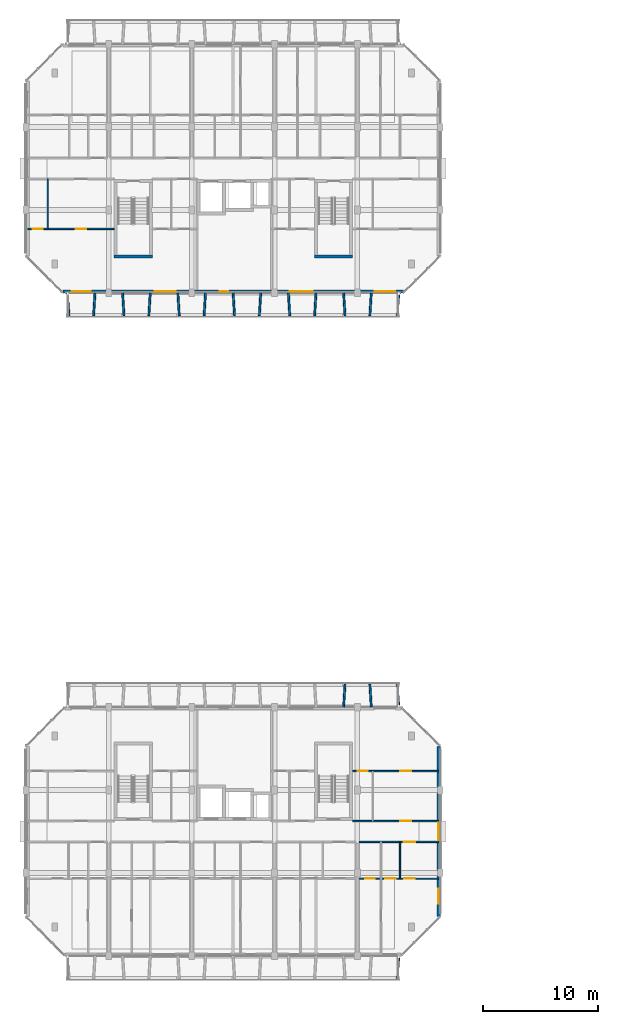
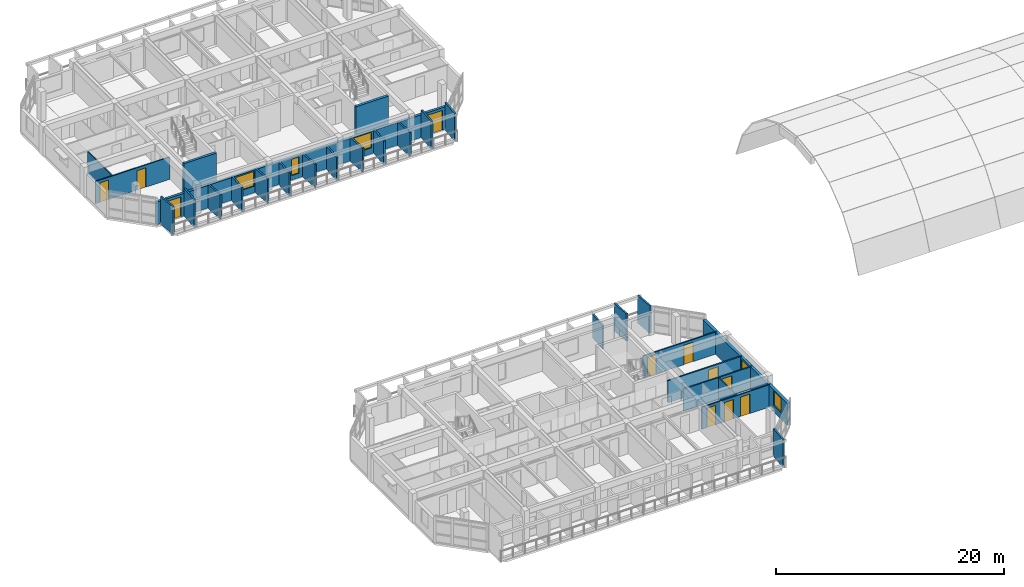
# One storey, part 25 of 51: 28 walls, 11 doors, 5 windows, 16 openings.
"""IFC4 building model written with IfcOpenShell, lengths in metres."""

from ifc_helpers import new_model, si_unit, direction, frame, frame_2d, origin, place, context, subcontext, project, spatial, rectangle, extrude, material, layer, layer_set, type_object, element, fill, save


model = new_model("IFC4")

# Units and contexts
model_context = context("Model", 3, precision=1e-05, world=origin(), true_north=direction((0.0, 1.0)))
body_context = subcontext(model_context, "Body", "Model", "MODEL_VIEW")
ifc_project = project(units=[si_unit("LENGTHUNIT", "METRE"), si_unit("AREAUNIT", "SQUARE_METRE"), si_unit("VOLUMEUNIT", "CUBIC_METRE"), si_unit("PLANEANGLEUNIT", "RADIAN"), si_unit("MASSUNIT", "GRAM", prefix="KILO")], contexts=[model_context])

# Site, building, storey
site_placement = place(None, origin())
site = spatial("IfcSite", under=ifc_project, at=site_placement, CompositionType="ELEMENT")
building_placement = place(site_placement, origin())
building = spatial("IfcBuilding", under=site, at=building_placement, Name="Ochrevale Crest", CompositionType="ELEMENT")
storey_placement = place(building_placement, frame((0.0, 0.0, 11.85009765625)))
storey = spatial("IfcBuildingStorey", under=building, at=storey_placement, Name="L03", CompositionType="ELEMENT", Elevation=11.85009765625)

# Wall, opening, door
ifc_material_1 = material(Name="Gypsum plasterboard", Category="gypsum")
ifc_layer_1 = layer(ifc_material_1, 0.139892578125)
ifc_layer_set_1 = layer_set([ifc_layer_1], Name="Gypsum plasterboard")
wall_type_1 = type_object("IfcWallType", Name="WL-COR-140", PredefinedType="PARTITIONING", material=ifc_layer_set_1)
wall_1_placement = place(storey_placement, frame((28.93994140625, 24.300048828125, 0.0), z_axis=(0.0, 0.0, 1.0), x_axis=(1.0, 0.0, 0.0)))
wall_1 = element("IfcWall", 1, at=wall_1_placement, inside=storey, type_object=wall_type_1, Name="Apartment A-L03-U5 corridor wall", PredefinedType="PARTITIONING", context=body_context, shape_type="SweptSolid", body=[
    extrude(rectangle(XDim=6.920166015625, YDim=0.139892578125, at=frame_2d((3.4599609375, 0.0))), origin(), (0.0, 0.0, 1.0), 2.3798828125),
])
opening_1_placement = place(wall_1_placement, frame((4.875, 0.0, 0.0), z_axis=(0.0, 0.0, 1.0), x_axis=(-1.0, 0.0, 0.0)))
opening_1 = element("IfcOpeningElement", 2, at=opening_1_placement, cuts=wall_1, Name="Opening FD01", PredefinedType="OPENING", context=body_context, shape_type="SweptSolid", body=[
    extrude(rectangle(XDim=0.97998046875, YDim=2.10009765625, at=frame_2d((0.489990234375, 1.050048828125))), frame((0.0, 0.080078125, 0.0), z_axis=(0.0, -1.0, 0.0), x_axis=(1.0, 0.0, 0.0)), (0.0, 0.0, 1.0), 0.159912109375),
])
ifc_material_2 = material(Name="Solid-core FSC hardwood", Category="wood")
door_type_1 = type_object("IfcDoorType", Name="DR-APT-950", OperationType="NOTDEFINED", PredefinedType="DOOR", material=ifc_material_2)
door_1_placement = place(opening_1_placement, origin())
door_1 = element("IfcDoor", 3, at=door_1_placement, inside=storey, type_object=door_type_1, Name="Apartment A-L03-U5 entrance door", OperationType="SINGLE_SWING_RIGHT", OverallHeight=2.10009765625, OverallWidth=0.97998046875, PredefinedType="DOOR", context=body_context, shape_type="SweptSolid", body=[
    extrude(rectangle(XDim=0.97998046875, YDim=2.10009765625, at=frame_2d((0.489990234375, 1.050048828125))), frame((0.0, 0.02490234375, 0.0), z_axis=(0.0, -1.0, 0.0), x_axis=(1.0, 0.0, 0.0)), (0.0, 0.0, 1.0), 0.050048828125),
])
fill(opening_1, door_1)

wall_2_placement = place(storey_placement, frame((28.389892578125, 26.10009765625, 0.0), z_axis=(0.0, 0.0, 1.0), x_axis=(1.0, 0.0, 0.0)))
wall_2 = element("IfcWall", 4, at=wall_2_placement, inside=storey, type_object=wall_type_1, Name="Suite A-L03-CE corridor wall", PredefinedType="PARTITIONING", context=body_context, shape_type="SweptSolid", body=[
    extrude(rectangle(XDim=7.47021484375, YDim=0.139892578125, at=frame_2d((3.735107421875, 0.0))), origin(), (0.0, 0.0, 1.0), 2.3798828125),
])
opening_2_placement = place(wall_2_placement, frame((5.10009765625, 0.0, 0.0), z_axis=(0.0, 0.0, 1.0), x_axis=(-1.0, 0.0, 0.0)))
opening_2 = element("IfcOpeningElement", 5, at=opening_2_placement, cuts=wall_2, Name="Opening FD01", PredefinedType="OPENING", context=body_context, shape_type="SweptSolid", body=[
    extrude(rectangle(XDim=0.97998046875, YDim=2.10009765625, at=frame_2d((0.489990234375, 1.050048828125))), frame((0.0, 0.080078125, 0.0), z_axis=(0.0, -1.0, 0.0), x_axis=(1.0, 0.0, 0.0)), (0.0, 0.0, 1.0), 0.159912109375),
])
door_2_placement = place(opening_2_placement, origin())
door_2 = element("IfcDoor", 6, at=door_2_placement, inside=storey, type_object=door_type_1, Name="Suite A-L03-CE entrance door", OperationType="SINGLE_SWING_RIGHT", OverallHeight=2.10009765625, OverallWidth=0.97998046875, PredefinedType="DOOR", context=body_context, shape_type="SweptSolid", body=[
    extrude(rectangle(XDim=0.97998046875, YDim=2.10009765625, at=frame_2d((0.489990234375, 1.050048828125))), frame((0.0, 0.02490234375, 0.0), z_axis=(0.0, -1.0, 0.0), x_axis=(1.0, 0.0, 0.0)), (0.0, 0.0, 1.0), 0.050048828125),
])
fill(opening_2, door_2)

# Walls
ifc_material_3 = material(Name="Precast concrete C50/60", Category="concrete")
ifc_layer_2 = layer(ifc_material_3, 0.2548828125)
ifc_layer_set_2 = layer_set([ifc_layer_2], Name="Precast concrete C50/60")
wall_type_2 = type_object("IfcWallType", Name="WL-CORE-255", PredefinedType="SHEAR", material=ifc_layer_set_2)
for number, where, z_axis, x_axis, name in (
    (7, (7.672607421875, 75.14990234375, 0.0), (0.0, 0.0, 1.0), (1.0, 0.0, 0.0), "Block B L03 Stair 1 precast core shear wall S"),
    (8, (25.072509765625, 75.14990234375, 0.0), (0.0, 0.0, 1.0), (1.0, 0.0, 0.0), "Block B L03 Stair 2 precast core shear wall S"),
):
    element("IfcWall", number, at=place(storey_placement, frame(where, z_axis=z_axis, x_axis=x_axis)), inside=storey, type_object=wall_type_2, Name=name, PredefinedType="SHEAR", context=body_context, shape_type="SweptSolid", body=[
        extrude(rectangle(XDim=3.304931640625, YDim=0.2548828125, at=frame_2d((1.65234375, 0.0))), origin(), (0.0, 0.0, 1.0), 3.14990234375),
    ])

# Wall, openings, windows
ifc_material_4 = material(Name="Clay face brickwork", Category="masonry")
ifc_layer_3 = layer(ifc_material_4, 0.2900390625)
ifc_layer_set_3 = layer_set([ifc_layer_3], Name="Clay face brickwork")
wall_type_3 = type_object("IfcWallType", Name="WL-EXT-BRICK-290", PredefinedType="SOLIDWALL", material=ifc_layer_set_3)
wall_3_placement = place(storey_placement, frame((35.85498046875, 17.800048828125, 0.0), z_axis=(0.0, 0.0, 1.0), x_axis=(0.0, 1.0, 0.0)))
wall_3 = element("IfcWall", 9, at=wall_3_placement, inside=storey, type_object=wall_type_3, Name="Block A L03 external facade wall E3", PredefinedType="SOLIDWALL", context=body_context, shape_type="SweptSolid", body=[
    extrude(rectangle(XDim=14.800048828125, YDim=0.2900390625, at=frame_2d((7.39990234375, 0.0))), origin(), (0.0, 0.0, 1.0), 2.3798828125),
])
opening_3_placement = place(wall_3_placement, frame((6.64990234375, 0.0, 1.050048828125)))
opening_3 = element("IfcOpeningElement", 10, at=opening_3_placement, cuts=wall_3, Name="Opening W18", PredefinedType="OPENING", context=body_context, shape_type="SweptSolid", body=[
    extrude(rectangle(XDim=1.5, YDim=1.14990234375, at=frame_2d((0.75, 0.574951171875))), frame((0.0, 0.155029296875, 0.0), z_axis=(0.0, -1.0, 0.0), x_axis=(1.0, 0.0, 0.0)), (0.0, 0.0, 1.0), 0.31005859375),
])
opening_4_placement = place(wall_3_placement, frame((1.114990234375, 0.0, 0.719970703125)))
opening_4 = element("IfcOpeningElement", 11, at=opening_4_placement, cuts=wall_3, Name="Opening W30", PredefinedType="OPENING", context=body_context, shape_type="SweptSolid", body=[
    extrude(rectangle(XDim=1.300048828125, YDim=1.550048828125, at=frame_2d((0.64990234375, 0.77490234375))), frame((0.0, 0.155029296875, 0.0), z_axis=(0.0, -1.0, 0.0), x_axis=(1.0, 0.0, 0.0)), (0.0, 0.0, 1.0), 0.31005859375),
])
ifc_material_5 = material(Name="Anodised aluminium 6063-T5 and low-E double glazing", Category="aluminium")
window_type_1 = type_object("IfcWindowType", Name="WIN-W18", PartitioningType="SINGLE_PANEL", PredefinedType="WINDOW", material=ifc_material_5)
window_1_placement = place(opening_3_placement, origin())
window_1 = element("IfcWindow", 12, at=window_1_placement, inside=storey, type_object=window_type_1, Name="Block A L03 corridor end daylight window E", OverallHeight=1.14990234375, OverallWidth=1.5, PartitioningType="SINGLE_PANEL", PredefinedType="WINDOW", context=body_context, shape_type="SweptSolid", body=[
    extrude(rectangle(XDim=1.5, YDim=1.14990234375, at=frame_2d((0.75, 0.574951171875))), frame((0.0, 0.030029296875, 0.0), z_axis=(0.0, -1.0, 0.0), x_axis=(1.0, 0.0, 0.0)), (0.0, 0.0, 1.0), 0.06005859375),
])
fill(opening_3, window_1)
window_type_2 = type_object("IfcWindowType", Name="WIN-W30", PartitioningType="SINGLE_PANEL", PredefinedType="WINDOW", material=ifc_material_5)
window_2_placement = place(opening_4_placement, origin())
window_2 = element("IfcWindow", 13, at=window_2_placement, inside=storey, type_object=window_type_2, Name="Block A L03 side suite window E", OverallHeight=1.550048828125, OverallWidth=1.300048828125, PartitioningType="SINGLE_PANEL", PredefinedType="WINDOW", context=body_context, shape_type="SweptSolid", body=[
    extrude(rectangle(XDim=1.300048828125, YDim=1.550048828125, at=frame_2d((0.64990234375, 0.77490234375))), frame((0.0, 0.030029296875, 0.0), z_axis=(0.0, -1.0, 0.0), x_axis=(1.0, 0.0, 0.0)), (0.0, 0.0, 1.0), 0.06005859375),
])
fill(opening_4, window_2)

# Wall, openings, doors, windows
ifc_material_6 = material(Name="Precast concrete C40/50", Category="concrete")
ifc_layer_4 = layer(ifc_material_6, 0.25)
ifc_layer_set_4 = layer_set([ifc_layer_4], Name="Precast concrete C40/50")
wall_type_4 = type_object("IfcWallType", Name="WL-EXT-GOLD-250", PredefinedType="SOLIDWALL", material=ifc_layer_set_4)
wall_4_placement = place(storey_placement, frame((3.199951171875, 72.125, 0.0), z_axis=(0.0, 0.0, 1.0), x_axis=(1.0, 0.0, 0.0)))
wall_4 = element("IfcWall", 14, at=wall_4_placement, inside=storey, type_object=wall_type_4, Name="Block B L03 external facade wall E1", PredefinedType="SOLIDWALL", context=body_context, shape_type="SweptSolid", body=[
    extrude(rectangle(XDim=29.60009765625, YDim=0.25, at=frame_2d((14.800048828125, 0.0))), origin(), (0.0, 0.0, 1.0), 2.429931640625),
])
opening_5_placement = place(wall_4_placement, frame((2.4248046875, 0.0, 0.0), z_axis=(0.0, 0.0, 1.0), x_axis=(-1.0, 0.0, 0.0)))
opening_5 = element("IfcOpeningElement", 15, at=opening_5_placement, cuts=wall_4, Name="Opening BD02", PredefinedType="OPENING", context=body_context, shape_type="SweptSolid", body=[
    extrude(rectangle(XDim=1.64990234375, YDim=2.14990234375, at=frame_2d((0.824951171875, 1.074951171875))), frame((0.0, 0.135009765625, 0.0), z_axis=(0.0, -1.0, 0.0), x_axis=(1.0, 0.0, 0.0)), (0.0, 0.0, 1.0), 0.27001953125),
])
opening_6_placement = place(wall_4_placement, frame((28.900146484375, 0.0, 0.0), z_axis=(0.0, 0.0, 1.0), x_axis=(-1.0, 0.0, 0.0)))
opening_6 = element("IfcOpeningElement", 16, at=opening_6_placement, cuts=wall_4, Name="Opening BD03", PredefinedType="OPENING", context=body_context, shape_type="SweptSolid", body=[
    extrude(rectangle(XDim=1.800048828125, YDim=2.14990234375, at=frame_2d((0.89990234375, 1.074951171875))), frame((0.0, 0.135009765625, 0.0), z_axis=(0.0, -1.0, 0.0), x_axis=(1.0, 0.0, 0.0)), (0.0, 0.0, 1.0), 0.27001953125),
])
opening_7_placement = place(wall_4_placement, frame((13.6201171875, 0.0, 0.5)))
opening_7 = element("IfcOpeningElement", 17, at=opening_7_placement, cuts=wall_4, Name="Opening W16", PredefinedType="OPENING", context=body_context, shape_type="SweptSolid", body=[
    extrude(rectangle(XDim=0.75, YDim=1.75, at=frame_2d((0.375, 0.875))), frame((0.0, 0.135009765625, 0.0), z_axis=(0.0, -1.0, 0.0), x_axis=(1.0, 0.0, 0.0)), (0.0, 0.0, 1.0), 0.27001953125),
])
opening_8_placement = place(wall_4_placement, frame((19.72509765625, 0.0, 0.669921875)))
opening_8 = element("IfcOpeningElement", 18, at=opening_8_placement, cuts=wall_4, Name="Opening W12", PredefinedType="OPENING", context=body_context, shape_type="SweptSolid", body=[
    extrude(rectangle(XDim=2.0, YDim=1.64990234375, at=frame_2d((1.0, 0.824951171875))), frame((0.0, 0.135009765625, 0.0), z_axis=(0.0, -1.0, 0.0), x_axis=(1.0, 0.0, 0.0)), (0.0, 0.0, 1.0), 0.27001953125),
])
opening_9_placement = place(wall_4_placement, frame((7.969970703125, 0.0, 0.699951171875)))
opening_9 = element("IfcOpeningElement", 19, at=opening_9_placement, cuts=wall_4, Name="Opening W11", PredefinedType="OPENING", context=body_context, shape_type="SweptSolid", body=[
    extrude(rectangle(XDim=1.860107421875, YDim=1.60009765625, at=frame_2d((0.93017578125, 0.800048828125))), frame((0.0, 0.135009765625, 0.0), z_axis=(0.0, -1.0, 0.0), x_axis=(1.0, 0.0, 0.0)), (0.0, 0.0, 1.0), 0.27001953125),
])
ifc_material_7 = material(Name="Anodised aluminium 6063-T5 and toughened glass", Category="aluminium")
door_type_2 = type_object("IfcDoorType", Name="DR-BAL-1650", OperationType="NOTDEFINED", PredefinedType="DOOR", material=ifc_material_7)
door_3_placement = place(opening_5_placement, origin())
door_3 = element("IfcDoor", 20, at=door_3_placement, inside=storey, type_object=door_type_2, Name="Block B L03 balcony door S1", OperationType="SINGLE_SWING_RIGHT", OverallHeight=2.14990234375, OverallWidth=1.64990234375, PredefinedType="DOOR", context=body_context, shape_type="SweptSolid", body=[
    extrude(rectangle(XDim=1.64990234375, YDim=2.14990234375, at=frame_2d((0.824951171875, 1.074951171875))), frame((0.0, 0.02490234375, 0.0), z_axis=(0.0, -1.0, 0.0), x_axis=(1.0, 0.0, 0.0)), (0.0, 0.0, 1.0), 0.050048828125),
])
fill(opening_5, door_3)
door_type_3 = type_object("IfcDoorType", Name="DR-BAL-1800", OperationType="NOTDEFINED", PredefinedType="DOOR", material=ifc_material_7)
door_4_placement = place(opening_6_placement, origin())
door_4 = element("IfcDoor", 21, at=door_4_placement, inside=storey, type_object=door_type_3, Name="Block B L03 balcony door S5", OperationType="SINGLE_SWING_LEFT", OverallHeight=2.14990234375, OverallWidth=1.800048828125, PredefinedType="DOOR", context=body_context, shape_type="SweptSolid", body=[
    extrude(rectangle(XDim=1.800048828125, YDim=2.14990234375, at=frame_2d((0.89990234375, 1.074951171875))), frame((0.0, 0.02490234375, 0.0), z_axis=(0.0, -1.0, 0.0), x_axis=(1.0, 0.0, 0.0)), (0.0, 0.0, 1.0), 0.050048828125),
])
fill(opening_6, door_4)
window_type_3 = type_object("IfcWindowType", Name="WIN-W11", PartitioningType="SINGLE_PANEL", PredefinedType="WINDOW", material=ifc_material_5)
window_3_placement = place(opening_9_placement, origin())
window_3 = element("IfcWindow", 22, at=window_3_placement, inside=storey, type_object=window_type_3, Name="Block B L03 Suite B-L03-MW Courtyard Studio Living window", OverallHeight=1.60009765625, OverallWidth=1.860107421875, PartitioningType="SINGLE_PANEL", PredefinedType="WINDOW", context=body_context, shape_type="SweptSolid", body=[
    extrude(rectangle(XDim=1.860107421875, YDim=1.60009765625, at=frame_2d((0.93017578125, 0.800048828125))), frame((0.0, 0.030029296875, 0.0), z_axis=(0.0, -1.0, 0.0), x_axis=(1.0, 0.0, 0.0)), (0.0, 0.0, 1.0), 0.06005859375),
])
fill(opening_9, window_3)
window_type_4 = type_object("IfcWindowType", Name="WIN-W12", PartitioningType="SINGLE_PANEL", PredefinedType="WINDOW", material=ifc_material_5)
window_4_placement = place(opening_8_placement, origin())
window_4 = element("IfcWindow", 23, at=window_4_placement, inside=storey, type_object=window_type_4, Name="Block B L03 Suite B-L03-ME Garden Alcove Studio window", OverallHeight=1.64990234375, OverallWidth=2.0, PartitioningType="SINGLE_PANEL", PredefinedType="WINDOW", context=body_context, shape_type="SweptSolid", body=[
    extrude(rectangle(XDim=2.0, YDim=1.64990234375, at=frame_2d((1.0, 0.824951171875))), frame((0.0, 0.030029296875, 0.0), z_axis=(0.0, -1.0, 0.0), x_axis=(1.0, 0.0, 0.0)), (0.0, 0.0, 1.0), 0.06005859375),
])
fill(opening_8, window_4)
window_type_5 = type_object("IfcWindowType", Name="WIN-W16", PartitioningType="SINGLE_PANEL", PredefinedType="WINDOW", material=ifc_material_5)
window_5_placement = place(opening_7_placement, origin())
window_5 = element("IfcWindow", 24, at=window_5_placement, inside=storey, type_object=window_type_5, Name="Block B L03 core lancet window", OverallHeight=1.75, OverallWidth=0.75, PartitioningType="SINGLE_PANEL", PredefinedType="WINDOW", context=body_context, shape_type="SweptSolid", body=[
    extrude(rectangle(XDim=0.75, YDim=1.75, at=frame_2d((0.375, 0.875))), frame((0.0, 0.030029296875, 0.0), z_axis=(0.0, -1.0, 0.0), x_axis=(1.0, 0.0, 0.0)), (0.0, 0.0, 1.0), 0.06005859375),
])
fill(opening_7, window_5)

# Walls
ifc_layer_5 = layer(ifc_material_6, 0.1650390625)
ifc_layer_set_5 = layer_set([ifc_layer_5], Name="Precast concrete C40/50")
wall_type_5 = type_object("IfcWallType", Name="WL-HC-CHEEK-165", PredefinedType="ELEMENTEDWALL", material=ifc_layer_set_5)
wall_5_placement = place(storey_placement, frame((32.39990234375, 14.3798828125, 0.0), z_axis=(0.0, 0.0, 1.0), x_axis=(-0.071194071069, -0.997462482625, 0.0)))
element("IfcWall", 25, at=wall_5_placement, inside=storey, type_object=wall_type_5, Name="Block A L03 S precast honeycomb cheek 13", PredefinedType="ELEMENTEDWALL", context=body_context, shape_type="SweptSolid", body=[
    extrude(rectangle(XDim=1.96484375, YDim=0.1650390625, at=frame_2d((0.982421875, 0.0))), origin(), (0.0, 0.0, 1.0), 2.949951171875),
])
wall_6_placement = place(storey_placement, frame((27.60009765625, 36.02001953125, 0.0), z_axis=(0.0, 0.0, 1.0), x_axis=(0.061046865508, 0.998134900808, 0.0)))
element("IfcWall", 26, at=wall_6_placement, inside=storey, type_object=wall_type_5, Name="Block A L03 N precast honeycomb cheek 11", PredefinedType="ELEMENTEDWALL", context=body_context, shape_type="SweptSolid", body=[
    extrude(rectangle(XDim=1.963623046875, YDim=0.1650390625, at=frame_2d((0.98193359375, 0.0))), origin(), (0.0, 0.0, 1.0), 2.52978515625),
])
wall_7_placement = place(storey_placement, frame((30.0, 36.02001953125, 0.0), z_axis=(0.0, 0.0, 1.0), x_axis=(-0.061170732449, 0.998127317276, 0.0)))
element("IfcWall", 27, at=wall_7_placement, inside=storey, type_object=wall_type_5, Name="Block A L03 N precast honeycomb cheek 12", PredefinedType="ELEMENTEDWALL", context=body_context, shape_type="SweptSolid", body=[
    extrude(rectangle(XDim=1.963623046875, YDim=0.1650390625, at=frame_2d((0.98193359375, 0.0))), origin(), (0.0, 0.0, 1.0), 2.949951171875),
])
for number, where, z_axis, x_axis, name in (
    (28, (32.39990234375, 36.02001953125, 0.0), (0.0, 0.0, 1.0), (-0.071194071069, 0.997462482625, 0.0), "Block A L03 N precast honeycomb cheek 13"),
    (29, (3.60009765625, 71.97998046875, 0.0), (0.0, 0.0, 1.0), (0.071194071069, -0.997462482625, 0.0), "Block B L03 S precast honeycomb cheek 1"),
):
    element("IfcWall", number, at=place(storey_placement, frame(where, z_axis=z_axis, x_axis=x_axis)), inside=storey, type_object=wall_type_5, Name=name, PredefinedType="ELEMENTEDWALL", context=body_context, shape_type="SweptSolid", body=[
        extrude(rectangle(XDim=1.96484375, YDim=0.1650390625, at=frame_2d((0.982421875, 0.0))), origin(), (0.0, 0.0, 1.0), 2.949951171875),
    ])
wall_8_placement = place(storey_placement, frame((6.0, 71.97998046875, 0.0), z_axis=(0.0, 0.0, 1.0), x_axis=(-0.061170732449, -0.998127317276, 0.0)))
element("IfcWall", 30, at=wall_8_placement, inside=storey, type_object=wall_type_5, Name="Block B L03 S precast honeycomb cheek 2", PredefinedType="ELEMENTEDWALL", context=body_context, shape_type="SweptSolid", body=[
    extrude(rectangle(XDim=1.963623046875, YDim=0.1650390625, at=frame_2d((0.98193359375, 0.0))), origin(), (0.0, 0.0, 1.0), 2.949951171875),
])
for number, where, z_axis, x_axis, name in (
    (31, (8.39990234375, 71.97998046875, 0.0), (0.0, 0.0, 1.0), (0.061170732449, -0.998127317276, 0.0), "Block B L03 S precast honeycomb cheek 3"),
    (32, (10.800048828125, 71.97998046875, 0.0), (0.0, 0.0, 1.0), (-0.061170732449, -0.998127317276, 0.0), "Block B L03 S precast honeycomb cheek 4"),
    (33, (13.199951171875, 71.97998046875, 0.0), (0.0, 0.0, 1.0), (0.061170732449, -0.998127317276, 0.0), "Block B L03 S precast honeycomb cheek 5"),
):
    element("IfcWall", number, at=place(storey_placement, frame(where, z_axis=z_axis, x_axis=x_axis)), inside=storey, type_object=wall_type_5, Name=name, PredefinedType="ELEMENTEDWALL", context=body_context, shape_type="SweptSolid", body=[
        extrude(rectangle(XDim=1.963623046875, YDim=0.1650390625, at=frame_2d((0.98193359375, 0.0))), origin(), (0.0, 0.0, 1.0), 2.579833984375),
    ])
for number, where, z_axis, x_axis, name in (
    (34, (15.60009765625, 71.97998046875, 0.0), (0.0, 0.0, 1.0), (-0.061170732449, -0.998127317276, 0.0), "Block B L03 S precast honeycomb cheek 6"),
    (35, (18.0, 71.97998046875, 0.0), (0.0, 0.0, 1.0), (0.061170732449, -0.998127317276, 0.0), "Block B L03 S precast honeycomb cheek 7"),
    (36, (20.39990234375, 71.97998046875, 0.0), (0.0, 0.0, 1.0), (-0.061046865508, -0.998134900808, 0.0), "Block B L03 S precast honeycomb cheek 8"),
):
    element("IfcWall", number, at=place(storey_placement, frame(where, z_axis=z_axis, x_axis=x_axis)), inside=storey, type_object=wall_type_5, Name=name, PredefinedType="ELEMENTEDWALL", context=body_context, shape_type="SweptSolid", body=[
        extrude(rectangle(XDim=1.963623046875, YDim=0.1650390625, at=frame_2d((0.98193359375, 0.0))), origin(), (0.0, 0.0, 1.0), 2.449951171875),
    ])
for number, where, z_axis, x_axis, name in (
    (37, (22.800048828125, 71.97998046875, 0.0), (0.0, 0.0, 1.0), (0.061046865508, -0.998134900808, 0.0), "Block B L03 S precast honeycomb cheek 9"),
    (38, (25.199951171875, 71.97998046875, 0.0), (0.0, 0.0, 1.0), (-0.061046865508, -0.998134900808, 0.0), "Block B L03 S precast honeycomb cheek 10"),
    (39, (27.60009765625, 71.97998046875, 0.0), (0.0, 0.0, 1.0), (0.061046865508, -0.998134900808, 0.0), "Block B L03 S precast honeycomb cheek 11"),
):
    element("IfcWall", number, at=place(storey_placement, frame(where, z_axis=z_axis, x_axis=x_axis)), inside=storey, type_object=wall_type_5, Name=name, PredefinedType="ELEMENTEDWALL", context=body_context, shape_type="SweptSolid", body=[
        extrude(rectangle(XDim=1.963623046875, YDim=0.1650390625, at=frame_2d((0.98193359375, 0.0))), origin(), (0.0, 0.0, 1.0), 2.52978515625),
    ])
wall_9_placement = place(storey_placement, frame((30.0, 71.97998046875, 0.0), z_axis=(0.0, 0.0, 1.0), x_axis=(-0.061170732449, -0.998127317276, 0.0)))
element("IfcWall", 40, at=wall_9_placement, inside=storey, type_object=wall_type_5, Name="Block B L03 S precast honeycomb cheek 12", PredefinedType="ELEMENTEDWALL", context=body_context, shape_type="SweptSolid", body=[
    extrude(rectangle(XDim=1.963623046875, YDim=0.1650390625, at=frame_2d((0.98193359375, 0.0))), origin(), (0.0, 0.0, 1.0), 2.949951171875),
])
wall_10_placement = place(storey_placement, frame((32.39990234375, 71.97998046875, 0.0), z_axis=(0.0, 0.0, 1.0), x_axis=(-0.071194071069, -0.997462482625, 0.0)))
element("IfcWall", 41, at=wall_10_placement, inside=storey, type_object=wall_type_5, Name="Block B L03 S precast honeycomb cheek 13", PredefinedType="ELEMENTEDWALL", context=body_context, shape_type="SweptSolid", body=[
    extrude(rectangle(XDim=1.96484375, YDim=0.1650390625, at=frame_2d((0.982421875, 0.0))), origin(), (0.0, 0.0, 1.0), 2.949951171875),
])
ifc_layer_6 = layer(ifc_material_1, 0.1201171875)
ifc_layer_set_6 = layer_set([ifc_layer_6], Name="Gypsum plasterboard")
wall_type_6 = type_object("IfcWallType", Name="WL-PART-120", PredefinedType="PARTITIONING", material=ifc_layer_set_6)
wall_11_placement = place(storey_placement, frame((32.5, 21.10009765625, 0.0), z_axis=(0.0, 0.0, 1.0), x_axis=(0.0, 1.0, 0.0)))
element("IfcWall", 42, at=wall_11_placement, inside=storey, type_object=wall_type_6, Name="Apartment A-L03-U5 kitchen-foyer wall", PredefinedType="PARTITIONING", context=body_context, shape_type="SweptSolid", body=[
    extrude(rectangle(XDim=3.199951171875, YDim=0.1201171875, at=frame_2d((1.60009765625, 0.0))), origin(), (0.0, 0.0, 1.0), 2.375),
])

# Wall, openings, doors
wall_12_placement = place(storey_placement, frame((28.93994140625, 21.10009765625, 0.0), z_axis=(0.0, 0.0, 1.0), x_axis=(1.0, 0.0, 0.0)))
wall_12 = element("IfcWall", 43, at=wall_12_placement, inside=storey, type_object=wall_type_6, Name="Apartment A-L03-U5 central partition", PredefinedType="PARTITIONING", context=body_context, shape_type="SweptSolid", body=[
    extrude(rectangle(XDim=6.920166015625, YDim=0.1201171875, at=frame_2d((3.4599609375, 0.0))), origin(), (0.0, 0.0, 1.0), 2.3798828125),
])
opening_10_placement = place(wall_12_placement, frame((0.530029296875, 0.0, 0.0)))
opening_10 = element("IfcOpeningElement", 44, at=opening_10_placement, cuts=wall_12, Name="Opening ID01", PredefinedType="OPENING", context=body_context, shape_type="SweptSolid", body=[
    extrude(rectangle(XDim=0.85009765625, YDim=2.080078125, at=frame_2d((0.425048828125, 1.0400390625))), frame((0.0, 0.070068359375, 0.0), z_axis=(0.0, -1.0, 0.0), x_axis=(1.0, 0.0, 0.0)), (0.0, 0.0, 1.0), 0.14013671875),
])
opening_11_placement = place(wall_12_placement, frame((3.184814453125, 0.0, 0.0), z_axis=(0.0, 0.0, 1.0), x_axis=(-1.0, 0.0, 0.0)))
opening_11 = element("IfcOpeningElement", 45, at=opening_11_placement, cuts=wall_12, Name="Opening ID02", PredefinedType="OPENING", context=body_context, shape_type="SweptSolid", body=[
    extrude(rectangle(XDim=0.89990234375, YDim=2.080078125, at=frame_2d((0.449951171875, 1.0400390625))), frame((0.0, 0.070068359375, 0.0), z_axis=(0.0, -1.0, 0.0), x_axis=(1.0, 0.0, 0.0)), (0.0, 0.0, 1.0), 0.14013671875),
])
opening_12_placement = place(wall_12_placement, frame((3.909912109375, 0.0, 0.0)))
opening_12 = element("IfcOpeningElement", 46, at=opening_12_placement, cuts=wall_12, Name="Opening ID06", PredefinedType="OPENING", context=body_context, shape_type="SweptSolid", body=[
    extrude(rectangle(XDim=0.949951171875, YDim=2.080078125, at=frame_2d((0.47509765625, 1.0400390625))), frame((0.0, 0.070068359375, 0.0), z_axis=(0.0, -1.0, 0.0), x_axis=(1.0, 0.0, 0.0)), (0.0, 0.0, 1.0), 0.14013671875),
])
door_type_4 = type_object("IfcDoorType", Name="DR-INT-900", OperationType="NOTDEFINED", PredefinedType="DOOR", material=ifc_material_2)
door_5_placement = place(opening_11_placement, origin())
door_5 = element("IfcDoor", 47, at=door_5_placement, inside=storey, type_object=door_type_4, Name="Apartment A-L03-U5 Kitchen door", OperationType="SINGLE_SWING_RIGHT", OverallHeight=2.080078125, OverallWidth=0.89990234375, PredefinedType="DOOR", context=body_context, shape_type="SweptSolid", body=[
    extrude(rectangle(XDim=0.89990234375, YDim=2.080078125, at=frame_2d((0.449951171875, 1.0400390625))), frame((0.0, 0.02490234375, 0.0), z_axis=(0.0, -1.0, 0.0), x_axis=(1.0, 0.0, 0.0)), (0.0, 0.0, 1.0), 0.050048828125),
])
fill(opening_11, door_5)
door_type_5 = type_object("IfcDoorType", Name="DR-INT-950", OperationType="NOTDEFINED", PredefinedType="DOOR", material=ifc_material_2)
door_6_placement = place(opening_12_placement, origin())
door_6 = element("IfcDoor", 48, at=door_6_placement, inside=storey, type_object=door_type_5, Name="Apartment A-L03-U5 Living Foyer door", OperationType="SINGLE_SWING_LEFT", OverallHeight=2.080078125, OverallWidth=0.949951171875, PredefinedType="DOOR", context=body_context, shape_type="SweptSolid", body=[
    extrude(rectangle(XDim=0.949951171875, YDim=2.080078125, at=frame_2d((0.47509765625, 1.0400390625))), frame((0.0, 0.02490234375, 0.0), z_axis=(0.0, -1.0, 0.0), x_axis=(1.0, 0.0, 0.0)), (0.0, 0.0, 1.0), 0.050048828125),
])
fill(opening_12, door_6)
door_type_6 = type_object("IfcDoorType", Name="DR-WC-850", OperationType="NOTDEFINED", PredefinedType="DOOR", material=ifc_material_2)
door_7_placement = place(opening_10_placement, origin())
door_7 = element("IfcDoor", 49, at=door_7_placement, inside=storey, type_object=door_type_6, Name="Apartment A-L03-U5 Bathroom door", OperationType="SINGLE_SWING_LEFT", OverallHeight=2.080078125, OverallWidth=0.85009765625, PredefinedType="DOOR", context=body_context, shape_type="SweptSolid", body=[
    extrude(rectangle(XDim=0.85009765625, YDim=2.080078125, at=frame_2d((0.425048828125, 1.0400390625))), frame((0.0, 0.02490234375, 0.0), z_axis=(0.0, -1.0, 0.0), x_axis=(1.0, 0.0, 0.0)), (0.0, 0.0, 1.0), 0.050048828125),
])
fill(opening_10, door_7)

wall_13_placement = place(storey_placement, frame((28.389892578125, 30.449951171875, 0.0), z_axis=(0.0, 0.0, 1.0), x_axis=(1.0, 0.0, 0.0)))
wall_13 = element("IfcWall", 50, at=wall_13_placement, inside=storey, type_object=wall_type_6, Name="Suite A-L03-CE internal wall", PredefinedType="PARTITIONING", context=body_context, shape_type="SweptSolid", body=[
    extrude(rectangle(XDim=7.47021484375, YDim=0.1201171875, at=frame_2d((3.735107421875, 0.0))), origin(), (0.0, 0.0, 1.0), 2.3798828125),
])
opening_13_placement = place(wall_13_placement, frame((0.449951171875, 0.0, 0.0)))
opening_13 = element("IfcOpeningElement", 51, at=opening_13_placement, cuts=wall_13, Name="Opening ID01", PredefinedType="OPENING", context=body_context, shape_type="SweptSolid", body=[
    extrude(rectangle(XDim=0.85009765625, YDim=2.080078125, at=frame_2d((0.425048828125, 1.0400390625))), frame((0.0, 0.070068359375, 0.0), z_axis=(0.0, -1.0, 0.0), x_axis=(1.0, 0.0, 0.0)), (0.0, 0.0, 1.0), 0.14013671875),
])
opening_14_placement = place(wall_13_placement, frame((5.06982421875, 0.0, 0.0), z_axis=(0.0, 0.0, 1.0), x_axis=(-1.0, 0.0, 0.0)))
opening_14 = element("IfcOpeningElement", 52, at=opening_14_placement, cuts=wall_13, Name="Opening ID04", PredefinedType="OPENING", context=body_context, shape_type="SweptSolid", body=[
    extrude(rectangle(XDim=0.919921875, YDim=2.080078125, at=frame_2d((0.4599609375, 1.0400390625))), frame((0.0, 0.070068359375, 0.0), z_axis=(0.0, -1.0, 0.0), x_axis=(1.0, 0.0, 0.0)), (0.0, 0.0, 1.0), 0.14013671875),
])
door_type_7 = type_object("IfcDoorType", Name="DR-INT-920", OperationType="NOTDEFINED", PredefinedType="DOOR", material=ifc_material_2)
door_8_placement = place(opening_14_placement, origin())
door_8 = element("IfcDoor", 53, at=door_8_placement, inside=storey, type_object=door_type_7, Name="Suite A-L03-CE Master Bedroom door", OperationType="SINGLE_SWING_RIGHT", OverallHeight=2.080078125, OverallWidth=0.919921875, PredefinedType="DOOR", context=body_context, shape_type="SweptSolid", body=[
    extrude(rectangle(XDim=0.919921875, YDim=2.080078125, at=frame_2d((0.4599609375, 1.0400390625))), frame((0.0, 0.02490234375, 0.0), z_axis=(0.0, -1.0, 0.0), x_axis=(1.0, 0.0, 0.0)), (0.0, 0.0, 1.0), 0.050048828125),
])
fill(opening_14, door_8)
door_9_placement = place(opening_13_placement, origin())
door_9 = element("IfcDoor", 54, at=door_9_placement, inside=storey, type_object=door_type_6, Name="Suite A-L03-CE Bathroom door", OperationType="SINGLE_SWING_LEFT", OverallHeight=2.080078125, OverallWidth=0.85009765625, PredefinedType="DOOR", context=body_context, shape_type="SweptSolid", body=[
    extrude(rectangle(XDim=0.85009765625, YDim=2.080078125, at=frame_2d((0.425048828125, 1.0400390625))), frame((0.0, 0.02490234375, 0.0), z_axis=(0.0, -1.0, 0.0), x_axis=(1.0, 0.0, 0.0)), (0.0, 0.0, 1.0), 0.050048828125),
])
fill(opening_13, door_9)

wall_14_placement = place(storey_placement, frame((0.139892578125, 77.550048828125, 0.0), z_axis=(0.0, 0.0, 1.0), x_axis=(1.0, 0.0, 0.0)))
wall_14 = element("IfcWall", 55, at=wall_14_placement, inside=storey, type_object=wall_type_6, Name="Suite B-L03-CW internal wall", PredefinedType="PARTITIONING", context=body_context, shape_type="SweptSolid", body=[
    extrude(rectangle(XDim=7.52001953125, YDim=0.1201171875, at=frame_2d((3.760009765625, 0.0))), origin(), (0.0, 0.0, 1.0), 2.3798828125),
])
opening_15_placement = place(wall_14_placement, frame((1.300048828125, 0.0, 0.0), z_axis=(0.0, 0.0, 1.0), x_axis=(-1.0, 0.0, 0.0)))
opening_15 = element("IfcOpeningElement", 56, at=opening_15_placement, cuts=wall_14, Name="Opening ID01", PredefinedType="OPENING", context=body_context, shape_type="SweptSolid", body=[
    extrude(rectangle(XDim=0.85009765625, YDim=2.080078125, at=frame_2d((0.425048828125, 1.0400390625))), frame((0.0, 0.070068359375, 0.0), z_axis=(0.0, -1.0, 0.0), x_axis=(1.0, 0.0, 0.0)), (0.0, 0.0, 1.0), 0.14013671875),
])
opening_16_placement = place(wall_14_placement, frame((4.175048828125, 0.0, 0.0)))
opening_16 = element("IfcOpeningElement", 57, at=opening_16_placement, cuts=wall_14, Name="Opening ID04", PredefinedType="OPENING", context=body_context, shape_type="SweptSolid", body=[
    extrude(rectangle(XDim=0.919921875, YDim=2.080078125, at=frame_2d((0.4599609375, 1.0400390625))), frame((0.0, 0.070068359375, 0.0), z_axis=(0.0, -1.0, 0.0), x_axis=(1.0, 0.0, 0.0)), (0.0, 0.0, 1.0), 0.14013671875),
])
door_10_placement = place(opening_16_placement, origin())
door_10 = element("IfcDoor", 58, at=door_10_placement, inside=storey, type_object=door_type_7, Name="Suite B-L03-CW Garden Alcove Studio door", OperationType="SINGLE_SWING_LEFT", OverallHeight=2.080078125, OverallWidth=0.919921875, PredefinedType="DOOR", context=body_context, shape_type="SweptSolid", body=[
    extrude(rectangle(XDim=0.919921875, YDim=2.080078125, at=frame_2d((0.4599609375, 1.0400390625))), frame((0.0, 0.02490234375, 0.0), z_axis=(0.0, -1.0, 0.0), x_axis=(1.0, 0.0, 0.0)), (0.0, 0.0, 1.0), 0.050048828125),
])
fill(opening_16, door_10)
door_11_placement = place(opening_15_placement, origin())
door_11 = element("IfcDoor", 59, at=door_11_placement, inside=storey, type_object=door_type_6, Name="Suite B-L03-CW Bathroom door", OperationType="SINGLE_SWING_RIGHT", OverallHeight=2.080078125, OverallWidth=0.85009765625, PredefinedType="DOOR", context=body_context, shape_type="SweptSolid", body=[
    extrude(rectangle(XDim=0.85009765625, YDim=2.080078125, at=frame_2d((0.425048828125, 1.0400390625))), frame((0.0, 0.02490234375, 0.0), z_axis=(0.0, -1.0, 0.0), x_axis=(1.0, 0.0, 0.0)), (0.0, 0.0, 1.0), 0.050048828125),
])
fill(opening_15, door_11)

# Wall
ifc_layer_7 = layer(ifc_material_1, 0.10009765625)
ifc_layer_set_7 = layer_set([ifc_layer_7], Name="Gypsum plasterboard")
wall_type_7 = type_object("IfcWallType", Name="WL-WET-100", PredefinedType="PARTITIONING", material=ifc_layer_set_7)
wall_15_placement = place(storey_placement, frame((1.889892578125, 77.550048828125, 0.0), z_axis=(0.0, 0.0, 1.0), x_axis=(0.0, 1.0, 0.0)))
element("IfcWall", 60, at=wall_15_placement, inside=storey, type_object=wall_type_7, Name="Suite B-L03-CW bathroom divider", PredefinedType="PARTITIONING", context=body_context, shape_type="SweptSolid", body=[
    extrude(rectangle(XDim=4.349853515625, YDim=0.10009765625, at=frame_2d((2.1748046875, 0.0))), origin(), (0.0, 0.0, 1.0), 2.375),
])

save(model, "model.ifc")
